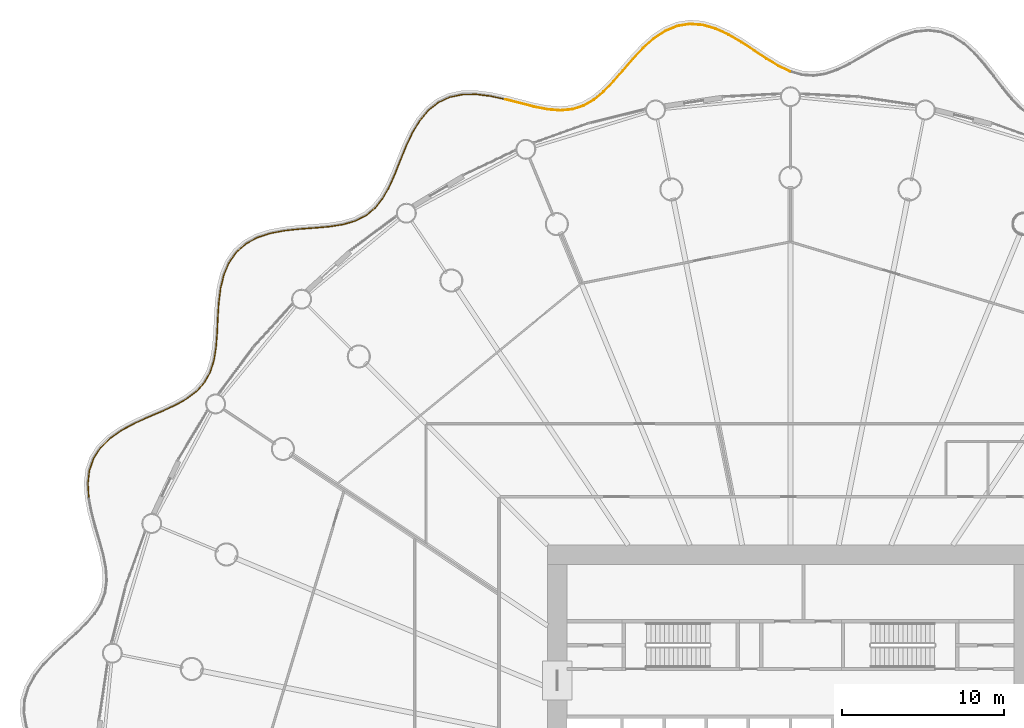
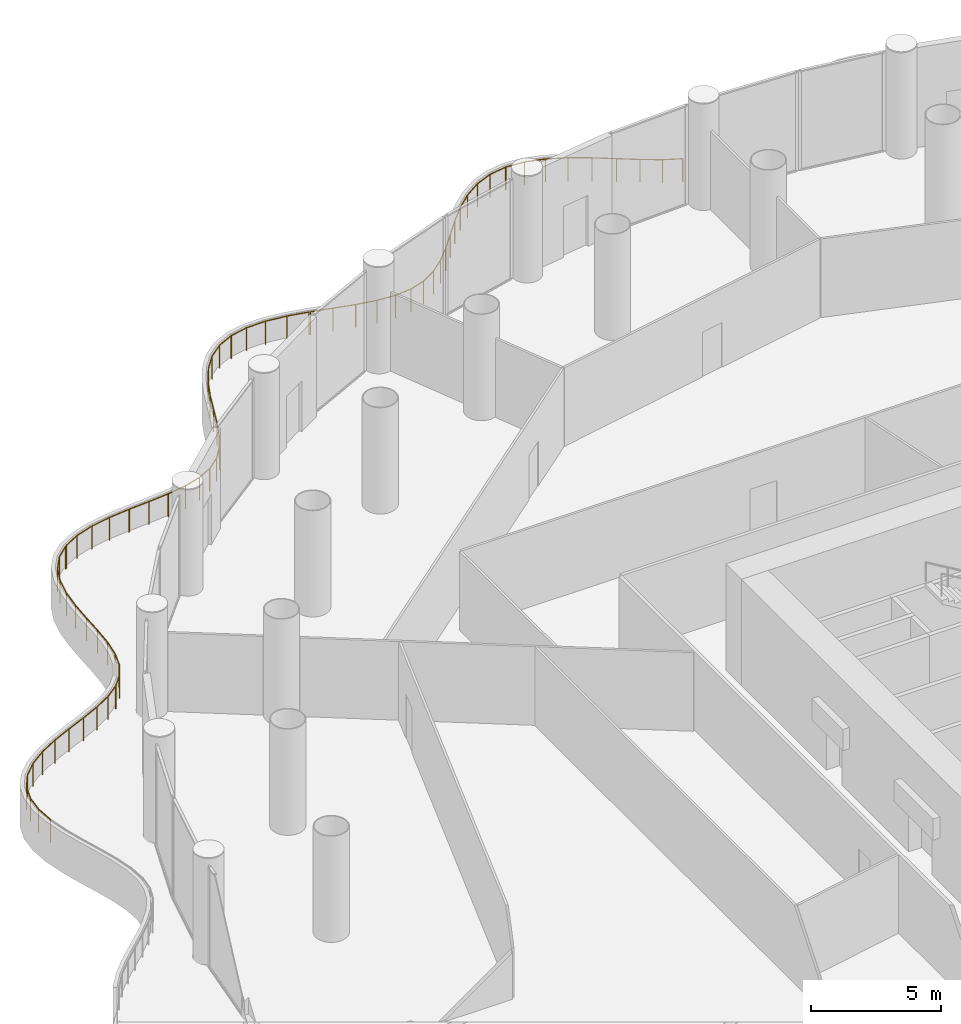
# One storey, part 37 of 38: 3 railings.
"""IFC4 building model written with IfcOpenShell, lengths in metres."""

from ifc_helpers import new_model, si_unit, direction, frame, origin, origin_2d, place, context, subcontext, project, spatial, circle, extrude, material, type_object, element, save


model = new_model("IFC4")

# Units and contexts
model_context = context("Model", 3, precision=1e-05, world=origin(), true_north=direction((0.0, 1.0)))
body_context = subcontext(model_context, "Body", "Model", "MODEL_VIEW")
ifc_project = project(units=[si_unit("LENGTHUNIT", "METRE"), si_unit("AREAUNIT", "SQUARE_METRE"), si_unit("VOLUMEUNIT", "CUBIC_METRE"), si_unit("PLANEANGLEUNIT", "RADIAN"), si_unit("MASSUNIT", "GRAM", prefix="KILO")], contexts=[model_context])

# Site, building, storey
site_placement = place(None, origin())
site = spatial("IfcSite", under=ifc_project, at=site_placement, CompositionType="ELEMENT")
building_placement = place(site_placement, origin())
building = spatial("IfcBuilding", under=site, at=building_placement, Name="Corvane Civic Tower", CompositionType="ELEMENT")
storey_placement = place(building_placement, frame((0.0, 0.0, 32.0)))
storey = spatial("IfcBuildingStorey", under=building, at=storey_placement, Name="L06", CompositionType="ELEMENT", Elevation=32.0)

# Railings
ifc_material = material(Name="Steel ASTM A572 Gr 50", Category="steel")
railing_type = type_object("IfcRailingType", Name="PODIUM-RL-GUARD-1100", PredefinedType="GUARDRAIL", material=ifc_material)
railing_1_placement = place(storey_placement, frame((-0.022705078125, 44.261962890625, 0.0)))
element("IfcRailing", 1, at=railing_1_placement, inside=storey, type_object=railing_type, Name="L06 ribbon guard 1", PredefinedType="GUARDRAIL", context=body_context, shape_type="SweptSolid", body=[
    extrude(circle(Radius=0.02392578125, at=origin_2d()), frame((0.0, 0.0, 1.076171875), z_axis=(-0.904556619747, 0.42635351725, 0.0), x_axis=(-0.42635351725, -0.904556619747, 0.0)), (0.0, 0.0, 1.0), 0.78173828125),
    extrude(circle(Radius=0.02392578125, at=origin_2d()), frame((-0.70703125, 0.333251953125, 1.076171875), z_axis=(-0.857071265822, 0.515197870048, 0.0), x_axis=(-0.515197870048, -0.857071265822, 0.0)), (0.0, 0.0, 1.0), 0.869140625),
    extrude(circle(Radius=0.02392578125, at=origin_2d()), frame((-1.451904296875, 0.781005859375, 1.076171875), z_axis=(-0.833278542405, 0.552853389939, 0.0), x_axis=(-0.552853389939, -0.833278542405, 0.0)), (0.0, 0.0, 1.0), 0.915771484375),
    extrude(circle(Radius=0.02392578125, at=origin_2d()), frame((-2.215087890625, 1.287353515625, 1.076171875), z_axis=(-0.835928065032, 0.548839020198, 0.0), x_axis=(-0.548839020198, -0.835928065032, 0.0)), (0.0, 0.0, 1.0), 0.9345703125),
    extrude(circle(Radius=0.02392578125, at=origin_2d()), frame((-2.996337890625, 1.80029296875, 1.076171875), z_axis=(-0.863000398501, 0.505203238497, 0.0), x_axis=(-0.505203238497, -0.863000398501, 0.0)), (0.0, 0.0, 1.0), 0.922607421875),
    extrude(circle(Radius=0.02392578125, at=origin_2d()), frame((-3.79248046875, 2.266357421875, 1.076171875), z_axis=(-0.909047390124, 0.416692743529, 0.0), x_axis=(-0.416692743529, -0.909047390124, 0.0)), (0.0, 0.0, 1.0), 0.884033203125),
    extrude(circle(Radius=0.02392578125, at=origin_2d()), frame((-4.59619140625, 2.634765625, 1.076171875), z_axis=(-0.96138033596, 0.275223272327, 0.0), x_axis=(-0.275223272327, -0.96138033596, 0.0)), (0.0, 0.0, 1.0), 0.834716796875),
    extrude(circle(Radius=0.02392578125, at=origin_2d()), frame((-5.398681640625, 2.864501953125, 1.076171875), z_axis=(-0.997036356128, 0.076931817602, 0.0), x_axis=(-0.076931817602, -0.997036356128, 0.0)), (0.0, 0.0, 1.0), 0.79345703125),
    extrude(circle(Radius=0.02392578125, at=origin_2d()), frame((-6.189697265625, 2.925537109375, 1.076171875), z_axis=(-0.987740079957, -0.156107445198, 0.0), x_axis=(0.156107445198, -0.987740079957, 0.0)), (0.0, 0.0, 1.0), 0.77880859375),
    extrude(circle(Radius=0.02392578125, at=origin_2d()), frame((-6.958984375, 2.803955078125, 1.076171875), z_axis=(-0.925945868411, -0.377656257426, 0.0), x_axis=(0.377656257426, -0.925945868411, 0.0)), (0.0, 0.0, 1.0), 0.79833984375),
    extrude(circle(Radius=0.02392578125, at=origin_2d()), frame((-7.6982421875, 2.50244140625, 1.076171875), z_axis=(-0.835511617619, -0.549472780786, 0.0), x_axis=(0.549472780786, -0.835511617619, 0.0)), (0.0, 0.0, 1.0), 0.842529296875),
    extrude(circle(Radius=0.02392578125, at=origin_2d()), frame((-8.402099609375, 2.03955078125, 1.076171875), z_axis=(-0.748797877953, -0.662798414281, 0.0), x_axis=(0.662798414281, -0.748797877953, 0.0)), (0.0, 0.0, 1.0), 0.891357421875),
    extrude(circle(Radius=0.02392578125, at=origin_2d()), frame((-9.069580078125, 1.44873046875, 1.076171875), z_axis=(-0.684896018256, -0.72864081973, 0.0), x_axis=(0.72864081973, -0.684896018256, 0.0)), (0.0, 0.0, 1.0), 0.926513671875),
    extrude(circle(Radius=0.02392578125, at=origin_2d()), frame((-9.7041015625, 0.773681640625, 1.076171875), z_axis=(-0.652039268828, -0.758185196312, 0.0), x_axis=(0.758185196312, -0.652039268828, 0.0)), (0.0, 0.0, 1.0), 0.933837890625),
    extrude(circle(Radius=0.02392578125, at=origin_2d()), frame((-10.31298828125, 0.065673828125, 1.076171875), z_axis=(-0.654297095356, -0.756237602218, 0.0), x_axis=(0.756237602218, -0.654297095356, 0.0)), (0.0, 0.0, 1.0), 0.91015625),
    extrude(circle(Radius=0.02392578125, at=origin_2d()), frame((-10.908447265625, -0.62255859375, 1.076171875), z_axis=(-0.693057647536, -0.720882165955, 0.0), x_axis=(0.720882165955, -0.693057647536, 0.0)), (0.0, 0.0, 1.0), 0.85986328125),
    extrude(circle(Radius=0.02392578125, at=origin_2d()), frame((-11.50439453125, -1.242431640625, 1.076171875), z_axis=(-0.768246397082, -0.640154257481, 0.0), x_axis=(0.640154257481, -0.768246397082, 0.0)), (0.0, 0.0, 1.0), 0.796630859375),
    extrude(circle(Radius=0.02392578125, at=origin_2d()), frame((-12.116455078125, -1.75244140625, 1.076171875), z_axis=(-0.865928333736, -0.500168092579, 0.0), x_axis=(0.500168092579, -0.865928333736, 0.0)), (0.0, 0.0, 1.0), 0.742919921875),
    extrude(circle(Radius=0.02392578125, at=origin_2d()), frame((-12.759765625, -2.1240234375, 1.076171875), z_axis=(-0.952671741947, -0.304000908049, 0.0), x_axis=(0.304000908049, -0.952671741947, 0.0)), (0.0, 0.0, 1.0), 0.720458984375),
    extrude(circle(Radius=0.02392578125, at=origin_2d()), frame((-13.446044921875, -2.343017578125, 1.076171875), z_axis=(-0.995671475827, -0.09294252108, 0.0), x_axis=(0.09294252108, -0.995671475827, 0.0)), (0.0, 0.0, 1.0), 0.74072265625),
    extrude(circle(Radius=0.02392578125, at=origin_2d()), frame((-14.18359375, -2.411865234375, 1.076171875), z_axis=(-0.996719662281, 0.080931544051, 0.0), x_axis=(-0.080931544051, -0.996719662281, 0.0)), (0.0, 0.0, 1.0), 0.79345703125),
    extrude(circle(Radius=0.02392578125, at=origin_2d()), frame((-14.974365234375, -2.34765625, 1.076171875), z_axis=(-0.981157277714, 0.193210756401, 0.0), x_axis=(-0.193210756401, -0.981157277714, 0.0)), (0.0, 0.0, 1.0), 0.856689453125),
    extrude(circle(Radius=0.02392578125, at=origin_2d()), frame((-15.81494140625, -2.18212890625, 1.076171875), z_axis=(-0.968928678402, 0.247340284165, 0.0), x_axis=(-0.247340284165, -0.968928678402, 0.0)), (0.0, 0.0, 1.0), 0.908203125),
    extrude(circle(Radius=0.02392578125, at=origin_2d()), frame((-16.69482421875, -1.95751953125, 1.076171875), z_axis=(-0.967625834901, 0.252389071937, 0.0), x_axis=(-0.252389071937, -0.967625834901, 0.0)), (0.0, 0.0, 1.0), 0.908203125),
    extrude(circle(Radius=0.02099609375, at=origin_2d()), origin(), (0.0, 0.0, 1.0), 1.052001953125),
    extrude(circle(Radius=0.02099609375, at=origin_2d()), frame((-0.70703125, 0.333251953125, 0.0)), (0.0, 0.0, 1.0), 1.052001953125),
    extrude(circle(Radius=0.02099609375, at=origin_2d()), frame((-1.451904296875, 0.781005859375, 0.0)), (0.0, 0.0, 1.0), 1.052001953125),
    extrude(circle(Radius=0.02099609375, at=origin_2d()), frame((-2.215087890625, 1.287353515625, 0.0)), (0.0, 0.0, 1.0), 1.052001953125),
    extrude(circle(Radius=0.02099609375, at=origin_2d()), frame((-2.996337890625, 1.80029296875, 0.0)), (0.0, 0.0, 1.0), 1.052001953125),
    extrude(circle(Radius=0.02099609375, at=origin_2d()), frame((-3.79248046875, 2.266357421875, 0.0)), (0.0, 0.0, 1.0), 1.052001953125),
    extrude(circle(Radius=0.02099609375, at=origin_2d()), frame((-4.59619140625, 2.634765625, 0.0)), (0.0, 0.0, 1.0), 1.052001953125),
    extrude(circle(Radius=0.02099609375, at=origin_2d()), frame((-5.398681640625, 2.864501953125, 0.0)), (0.0, 0.0, 1.0), 1.052001953125),
    extrude(circle(Radius=0.02099609375, at=origin_2d()), frame((-6.189697265625, 2.925537109375, 0.0)), (0.0, 0.0, 1.0), 1.052001953125),
    extrude(circle(Radius=0.02099609375, at=origin_2d()), frame((-6.958984375, 2.803955078125, 0.0)), (0.0, 0.0, 1.0), 1.052001953125),
    extrude(circle(Radius=0.02099609375, at=origin_2d()), frame((-7.6982421875, 2.50244140625, 0.0)), (0.0, 0.0, 1.0), 1.052001953125),
    extrude(circle(Radius=0.02099609375, at=origin_2d()), frame((-8.402099609375, 2.03955078125, 0.0)), (0.0, 0.0, 1.0), 1.052001953125),
    extrude(circle(Radius=0.02099609375, at=origin_2d()), frame((-9.069580078125, 1.44873046875, 0.0)), (0.0, 0.0, 1.0), 1.052001953125),
    extrude(circle(Radius=0.02099609375, at=origin_2d()), frame((-9.7041015625, 0.773681640625, 0.0)), (0.0, 0.0, 1.0), 1.052001953125),
    extrude(circle(Radius=0.02099609375, at=origin_2d()), frame((-10.31298828125, 0.065673828125, 0.0)), (0.0, 0.0, 1.0), 1.052001953125),
    extrude(circle(Radius=0.02099609375, at=origin_2d()), frame((-10.908447265625, -0.62255859375, 0.0)), (0.0, 0.0, 1.0), 1.052001953125),
    extrude(circle(Radius=0.02099609375, at=origin_2d()), frame((-11.50439453125, -1.242431640625, 0.0)), (0.0, 0.0, 1.0), 1.052001953125),
    extrude(circle(Radius=0.02099609375, at=origin_2d()), frame((-12.116455078125, -1.75244140625, 0.0)), (0.0, 0.0, 1.0), 1.052001953125),
    extrude(circle(Radius=0.02099609375, at=origin_2d()), frame((-12.759765625, -2.1240234375, 0.0)), (0.0, 0.0, 1.0), 1.052001953125),
    extrude(circle(Radius=0.02099609375, at=origin_2d()), frame((-13.446044921875, -2.343017578125, 0.0)), (0.0, 0.0, 1.0), 1.052001953125),
    extrude(circle(Radius=0.02099609375, at=origin_2d()), frame((-14.18359375, -2.411865234375, 0.0)), (0.0, 0.0, 1.0), 1.052001953125),
    extrude(circle(Radius=0.02099609375, at=origin_2d()), frame((-14.974365234375, -2.34765625, 0.0)), (0.0, 0.0, 1.0), 1.052001953125),
    extrude(circle(Radius=0.02099609375, at=origin_2d()), frame((-15.81494140625, -2.18212890625, 0.0)), (0.0, 0.0, 1.0), 1.052001953125),
    extrude(circle(Radius=0.02099609375, at=origin_2d()), frame((-16.69482421875, -1.95751953125, 0.0)), (0.0, 0.0, 1.0), 1.052001953125),
    extrude(circle(Radius=0.02099609375, at=origin_2d()), frame((-17.57373046875, -1.728271484375, 0.0)), (0.0, 0.0, 1.0), 1.052001953125),
])
railing_2_placement = place(storey_placement, frame((-17.64501953125, 42.54541015625, 0.0)))
element("IfcRailing", 2, at=railing_2_placement, inside=storey, type_object=railing_type, Name="L06 ribbon guard 2", PredefinedType="GUARDRAIL", context=body_context, shape_type="SweptSolid", body=[
    extrude(circle(Radius=0.02392578125, at=origin_2d()), frame((0.0, 0.0, 1.076171875), z_axis=(-0.977300736575, 0.211856721135, 0.0), x_axis=(-0.211856721135, -0.977300736575, 0.0)), (0.0, 0.0, 1.0), 0.90234375),
    extrude(circle(Radius=0.02392578125, at=origin_2d()), frame((-0.8818359375, 0.191162109375, 1.076171875), z_axis=(-0.992282078148, 0.124001118491, 0.0), x_axis=(-0.124001118491, -0.992282078148, 0.0)), (0.0, 0.0, 1.0), 0.893798828125),
    extrude(circle(Radius=0.02392578125, at=origin_2d()), frame((-1.768798828125, 0.302001953125, 1.076171875), z_axis=(-0.999873829142, -0.015884766205, 0.0), x_axis=(0.015884766205, -0.999873829142, 0.0)), (0.0, 0.0, 1.0), 0.84521484375),
    extrude(circle(Radius=0.02392578125, at=origin_2d()), frame((-2.614013671875, 0.28857421875, 1.076171875), z_axis=(-0.978559496335, -0.20596434675, 0.0), x_axis=(0.20596434675, -0.978559496335, 0.0)), (0.0, 0.0, 1.0), 0.800048828125),
    extrude(circle(Radius=0.02392578125, at=origin_2d()), frame((-3.39697265625, 0.123779296875, 1.076171875), z_axis=(-0.905958848672, -0.42336575737, 0.0), x_axis=(0.42336575737, -0.905958848672, 0.0)), (0.0, 0.0, 1.0), 0.779052734375),
    extrude(circle(Radius=0.02392578125, at=origin_2d()), frame((-4.102783203125, -0.2060546875, 1.076171875), z_axis=(-0.782850211169, -0.622210211161, 0.0), x_axis=(0.622210211161, -0.782850211169, 0.0)), (0.0, 0.0, 1.0), 0.791748046875),
    extrude(circle(Radius=0.02392578125, at=origin_2d()), frame((-4.72265625, -0.69873046875, 1.076171875), z_axis=(-0.64055952996, -0.767908515761, 0.0), x_axis=(0.767908515761, -0.64055952996, 0.0)), (0.0, 0.0, 1.0), 0.83203125),
    extrude(circle(Radius=0.02392578125, at=origin_2d()), frame((-5.255615234375, -1.337646484375, 1.076171875), z_axis=(-0.515309933617, -0.857003892824, 0.0), x_axis=(0.857003892824, -0.515309933617, 0.0)), (0.0, 0.0, 1.0), 0.881591796875),
    extrude(circle(Radius=0.02392578125, at=origin_2d()), frame((-5.7099609375, -2.09326171875, 1.076171875), z_axis=(-0.424916002999, -0.905232782435, 0.0), x_axis=(0.905232782435, -0.424916002999, 0.0)), (0.0, 0.0, 1.0), 0.921142578125),
    extrude(circle(Radius=0.02392578125, at=origin_2d()), frame((-6.101318359375, -2.927001953125, 1.076171875), z_axis=(-0.375844544912, -0.926682727831, 0.0), x_axis=(0.926682727831, -0.375844544912, 0.0)), (0.0, 0.0, 1.0), 0.934814453125),
    extrude(circle(Radius=0.02392578125, at=origin_2d()), frame((-6.45263671875, -3.793212890625, 1.076171875), z_axis=(-0.36872877104, -0.929537031757, 0.0), x_axis=(0.929537031757, -0.36872877104, 0.0)), (0.0, 0.0, 1.0), 0.917724609375),
    extrude(circle(Radius=0.02392578125, at=origin_2d()), frame((-6.791015625, -4.646240234375, 1.076171875), z_axis=(-0.407359011643, -0.913268107202, 0.0), x_axis=(0.913268107202, -0.407359011643, 0.0)), (0.0, 0.0, 1.0), 0.8720703125),
    extrude(circle(Radius=0.02392578125, at=origin_2d()), frame((-7.146240234375, -5.442626953125, 1.076171875), z_axis=(-0.494547800989, -0.869150431477, 0.0), x_axis=(0.869150431477, -0.494547800989, 0.0)), (0.0, 0.0, 1.0), 0.81005859375),
    extrude(circle(Radius=0.02392578125, at=origin_2d()), frame((-7.546875, -6.146728515625, 1.076171875), z_axis=(-0.625288442745, -0.780393723302, 0.0), x_axis=(0.780393723302, -0.625288442745, 0.0)), (0.0, 0.0, 1.0), 0.75244140625),
    extrude(circle(Radius=0.02392578125, at=origin_2d()), frame((-8.017333984375, -6.73388671875, 1.076171875), z_axis=(-0.773218013178, -0.634140287394, 0.0), x_axis=(0.634140287394, -0.773218013178, 0.0)), (0.0, 0.0, 1.0), 0.721435546875),
    extrude(circle(Radius=0.02392578125, at=origin_2d()), frame((-8.5751953125, -7.19140625, 1.076171875), z_axis=(-0.893091245841, -0.449875567909, 0.0), x_axis=(0.449875567909, -0.893091245841, 0.0)), (0.0, 0.0, 1.0), 0.733154296875),
    extrude(circle(Radius=0.02392578125, at=origin_2d()), frame((-9.22998046875, -7.521240234375, 1.076171875), z_axis=(-0.960669700127, -0.277693585193, 0.0), x_axis=(0.277693585193, -0.960669700127, 0.0)), (0.0, 0.0, 1.0), 0.78076171875),
    extrude(circle(Radius=0.02392578125, at=origin_2d()), frame((-9.97998046875, -7.738037109375, 1.076171875), z_axis=(-0.987942969504, -0.154818245075, 0.0), x_axis=(0.154818245075, -0.987942969504, 0.0)), (0.0, 0.0, 1.0), 0.84375),
    extrude(circle(Radius=0.02392578125, at=origin_2d()), frame((-10.8134765625, -7.86865234375, 1.076171875), z_axis=(-0.996145220254, -0.087719440061, 0.0), x_axis=(0.087719440061, -0.996145220254, 0.0)), (0.0, 0.0, 1.0), 0.89892578125),
    extrude(circle(Radius=0.02392578125, at=origin_2d()), frame((-11.708984375, -7.947509765625, 1.076171875), z_axis=(-0.997356492386, -0.072663794948, 0.0), x_axis=(0.072663794948, -0.997356492386, 0.0)), (0.0, 0.0, 1.0), 0.9306640625),
    extrude(circle(Radius=0.02392578125, at=origin_2d()), frame((-12.63720703125, -8.01513671875, 1.076171875), z_axis=(-0.994539880598, -0.104357203395, 0.0), x_axis=(0.104357203395, -0.994539880598, 0.0)), (0.0, 0.0, 1.0), 0.93115234375),
    extrude(circle(Radius=0.02392578125, at=origin_2d()), frame((-13.563232421875, -8.1123046875, 1.076171875), z_axis=(-0.983249711201, -0.182263560327, 0.0), x_axis=(0.182263560327, -0.983249711201, 0.0)), (0.0, 0.0, 1.0), 0.90283203125),
    extrude(circle(Radius=0.02392578125, at=origin_2d()), frame((-14.450927734375, -8.27685546875, 1.076171875), z_axis=(-0.951552568716, -0.307486111833, 0.0), x_axis=(0.307486111833, -0.951552568716, 0.0)), (0.0, 0.0, 1.0), 0.85595703125),
    extrude(circle(Radius=0.02392578125, at=origin_2d()), frame((-15.265380859375, -8.5400390625, 1.076171875), z_axis=(-0.880361004263, -0.474304229554, 0.0), x_axis=(0.474304229554, -0.880361004263, 0.0)), (0.0, 0.0, 1.0), 0.783447265625),
    extrude(circle(Radius=0.02099609375, at=origin_2d()), origin(), (0.0, 0.0, 1.0), 1.052001953125),
    extrude(circle(Radius=0.02099609375, at=origin_2d()), frame((-0.8818359375, 0.191162109375, 0.0)), (0.0, 0.0, 1.0), 1.052001953125),
    extrude(circle(Radius=0.02099609375, at=origin_2d()), frame((-1.768798828125, 0.302001953125, 0.0)), (0.0, 0.0, 1.0), 1.052001953125),
    extrude(circle(Radius=0.02099609375, at=origin_2d()), frame((-2.614013671875, 0.28857421875, 0.0)), (0.0, 0.0, 1.0), 1.052001953125),
    extrude(circle(Radius=0.02099609375, at=origin_2d()), frame((-3.39697265625, 0.123779296875, 0.0)), (0.0, 0.0, 1.0), 1.052001953125),
    extrude(circle(Radius=0.02099609375, at=origin_2d()), frame((-4.102783203125, -0.2060546875, 0.0)), (0.0, 0.0, 1.0), 1.052001953125),
    extrude(circle(Radius=0.02099609375, at=origin_2d()), frame((-4.72265625, -0.69873046875, 0.0)), (0.0, 0.0, 1.0), 1.052001953125),
    extrude(circle(Radius=0.02099609375, at=origin_2d()), frame((-5.255615234375, -1.337646484375, 0.0)), (0.0, 0.0, 1.0), 1.052001953125),
    extrude(circle(Radius=0.02099609375, at=origin_2d()), frame((-5.7099609375, -2.09326171875, 0.0)), (0.0, 0.0, 1.0), 1.052001953125),
    extrude(circle(Radius=0.02099609375, at=origin_2d()), frame((-6.101318359375, -2.927001953125, 0.0)), (0.0, 0.0, 1.0), 1.052001953125),
    extrude(circle(Radius=0.02099609375, at=origin_2d()), frame((-6.45263671875, -3.793212890625, 0.0)), (0.0, 0.0, 1.0), 1.052001953125),
    extrude(circle(Radius=0.02099609375, at=origin_2d()), frame((-6.791015625, -4.646240234375, 0.0)), (0.0, 0.0, 1.0), 1.052001953125),
    extrude(circle(Radius=0.02099609375, at=origin_2d()), frame((-7.146240234375, -5.442626953125, 0.0)), (0.0, 0.0, 1.0), 1.052001953125),
    extrude(circle(Radius=0.02099609375, at=origin_2d()), frame((-7.546875, -6.146728515625, 0.0)), (0.0, 0.0, 1.0), 1.052001953125),
    extrude(circle(Radius=0.02099609375, at=origin_2d()), frame((-8.017333984375, -6.73388671875, 0.0)), (0.0, 0.0, 1.0), 1.052001953125),
    extrude(circle(Radius=0.02099609375, at=origin_2d()), frame((-8.5751953125, -7.19140625, 0.0)), (0.0, 0.0, 1.0), 1.052001953125),
    extrude(circle(Radius=0.02099609375, at=origin_2d()), frame((-9.22998046875, -7.521240234375, 0.0)), (0.0, 0.0, 1.0), 1.052001953125),
    extrude(circle(Radius=0.02099609375, at=origin_2d()), frame((-9.97998046875, -7.738037109375, 0.0)), (0.0, 0.0, 1.0), 1.052001953125),
    extrude(circle(Radius=0.02099609375, at=origin_2d()), frame((-10.8134765625, -7.86865234375, 0.0)), (0.0, 0.0, 1.0), 1.052001953125),
    extrude(circle(Radius=0.02099609375, at=origin_2d()), frame((-11.708984375, -7.947509765625, 0.0)), (0.0, 0.0, 1.0), 1.052001953125),
    extrude(circle(Radius=0.02099609375, at=origin_2d()), frame((-12.63720703125, -8.01513671875, 0.0)), (0.0, 0.0, 1.0), 1.052001953125),
    extrude(circle(Radius=0.02099609375, at=origin_2d()), frame((-13.563232421875, -8.1123046875, 0.0)), (0.0, 0.0, 1.0), 1.052001953125),
    extrude(circle(Radius=0.02099609375, at=origin_2d()), frame((-14.450927734375, -8.27685546875, 0.0)), (0.0, 0.0, 1.0), 1.052001953125),
    extrude(circle(Radius=0.02099609375, at=origin_2d()), frame((-15.265380859375, -8.5400390625, 0.0)), (0.0, 0.0, 1.0), 1.052001953125),
    extrude(circle(Radius=0.02099609375, at=origin_2d()), frame((-15.955078125, -8.91162109375, 0.0)), (0.0, 0.0, 1.0), 1.052001953125),
])
railing_3_placement = place(storey_placement, frame((-33.640869140625, 33.605712890625, 0.0)))
element("IfcRailing", 3, at=railing_3_placement, inside=storey, type_object=railing_type, Name="L06 ribbon guard 3", PredefinedType="GUARDRAIL", context=body_context, shape_type="SweptSolid", body=[
    extrude(circle(Radius=0.02392578125, at=origin_2d()), frame((0.0, 0.0, 1.076171875), z_axis=(-0.753136596258, -0.657864170917, 0.0), x_axis=(0.657864170917, -0.753136596258, 0.0)), (0.0, 0.0, 1.0), 0.755859375),
    extrude(circle(Radius=0.02392578125, at=origin_2d()), frame((-0.5693359375, -0.497314453125, 1.076171875), z_axis=(-0.578060431514, -0.81599395679, 0.0), x_axis=(0.81599395679, -0.578060431514, 0.0)), (0.0, 0.0, 1.0), 0.785888671875),
    extrude(circle(Radius=0.02392578125, at=origin_2d()), frame((-1.023681640625, -1.138671875, 1.076171875), z_axis=(-0.392843922588, -0.919605161189, 0.0), x_axis=(0.919605161189, -0.392843922588, 0.0)), (0.0, 0.0, 1.0), 0.822265625),
    extrude(circle(Radius=0.02392578125, at=origin_2d()), frame((-1.3466796875, -1.894775390625, 1.076171875), z_axis=(-0.236401609899, -0.971655432155, 0.0), x_axis=(0.971655432155, -0.236401609899, 0.0)), (0.0, 0.0, 1.0), 0.87158203125),
    extrude(circle(Radius=0.02392578125, at=origin_2d()), frame((-1.552734375, -2.74169921875, 1.076171875), z_axis=(-0.125480400007, -0.99209609878, 0.0), x_axis=(0.99209609878, -0.125480400007, 0.0)), (0.0, 0.0, 1.0), 0.91455078125),
    extrude(circle(Radius=0.02392578125, at=origin_2d()), frame((-1.66748046875, -3.64892578125, 1.076171875), z_axis=(-0.061662540567, -0.998097054945, 0.0), x_axis=(0.998097054945, -0.061662540567, 0.0)), (0.0, 0.0, 1.0), 0.934326171875),
    extrude(circle(Radius=0.02392578125, at=origin_2d()), frame((-1.72509765625, -4.58154296875, 1.076171875), z_axis=(-0.044928131662, -0.998990221667, 0.0), x_axis=(0.998990221667, -0.044928131662, 0.0)), (0.0, 0.0, 1.0), 0.923828125),
    extrude(circle(Radius=0.02392578125, at=origin_2d()), frame((-1.7666015625, -5.50439453125, 1.076171875), z_axis=(-0.07542872719, -0.997151195714, 0.0), x_axis=(0.997151195714, -0.07542872719, 0.0)), (0.0, 0.0, 1.0), 0.883544921875),
    extrude(circle(Radius=0.02392578125, at=origin_2d()), frame((-1.833251953125, -6.385498046875, 1.076171875), z_axis=(-0.160359970746, -0.987058599974, 0.0), x_axis=(0.987058599974, -0.160359970746, 0.0)), (0.0, 0.0, 1.0), 0.82373046875),
    extrude(circle(Radius=0.02392578125, at=origin_2d()), frame((-1.96533203125, -7.198486328125, 1.076171875), z_axis=(-0.30178990041, -0.953374457394, 0.0), x_axis=(0.953374457394, -0.30178990041, 0.0)), (0.0, 0.0, 1.0), 0.762939453125),
    extrude(circle(Radius=0.02392578125, at=origin_2d()), frame((-2.195556640625, -7.92578125, 1.076171875), z_axis=(-0.485328341543, -0.874331974078, 0.0), x_axis=(0.874331974078, -0.485328341543, 0.0)), (0.0, 0.0, 1.0), 0.724853515625),
    extrude(circle(Radius=0.02392578125, at=origin_2d()), frame((-2.54736328125, -8.5595703125, 1.076171875), z_axis=(-0.66584226346, -0.746092541305, 0.0), x_axis=(0.746092541305, -0.66584226346, 0.0)), (0.0, 0.0, 1.0), 0.72705078125),
    extrude(circle(Radius=0.02392578125, at=origin_2d()), frame((-3.031494140625, -9.10205078125, 1.076171875), z_axis=(-0.79812863736, -0.602487077227, 0.0), x_axis=(0.602487077227, -0.79812863736, 0.0)), (0.0, 0.0, 1.0), 0.768798828125),
    extrude(circle(Radius=0.02392578125, at=origin_2d()), frame((-3.64501953125, -9.565185546875, 1.076171875), z_axis=(-0.874115666585, -0.485717820787, 0.0), x_axis=(0.485717820787, -0.874115666585, 0.0)), (0.0, 0.0, 1.0), 0.830322265625),
    extrude(circle(Radius=0.02392578125, at=origin_2d()), frame((-4.370849609375, -9.968505859375, 1.076171875), z_axis=(-0.909688003863, -0.41529234959, 0.0), x_axis=(0.41529234959, -0.909688003863, 0.0)), (0.0, 0.0, 1.0), 0.888916015625),
    extrude(circle(Radius=0.02392578125, at=origin_2d()), frame((-5.179443359375, -10.337646484375, 1.076171875), z_axis=(-0.920015181369, -0.391882719764, 0.0), x_axis=(0.391882719764, -0.920015181369, 0.0)), (0.0, 0.0, 1.0), 0.926513671875),
    extrude(circle(Radius=0.02392578125, at=origin_2d()), frame((-6.03173828125, -10.70068359375, 1.076171875), z_axis=(-0.911161682007, -0.412049013155, 0.0), x_axis=(0.412049013155, -0.911161682007, 0.0)), (0.0, 0.0, 1.0), 0.933837890625),
    extrude(circle(Radius=0.02392578125, at=origin_2d()), frame((-6.882568359375, -11.08544921875, 1.076171875), z_axis=(-0.88067761825, -0.473716088721, 0.0), x_axis=(0.473716088721, -0.88067761825, 0.0)), (0.0, 0.0, 1.0), 0.91064453125),
    extrude(circle(Radius=0.02392578125, at=origin_2d()), frame((-7.6845703125, -11.516845703125, 1.076171875), z_axis=(-0.818635721865, -0.574313115718, 0.0), x_axis=(0.574313115718, -0.818635721865, 0.0)), (0.0, 0.0, 1.0), 0.866455078125),
    extrude(circle(Radius=0.02392578125, at=origin_2d()), frame((-8.393798828125, -12.014404296875, 1.076171875), z_axis=(-0.709343264461, -0.704863201738, 0.0), x_axis=(0.704863201738, -0.709343264461, 0.0)), (0.0, 0.0, 1.0), 0.8173828125),
    extrude(circle(Radius=0.02392578125, at=origin_2d()), frame((-8.9736328125, -12.590576171875, 1.076171875), z_axis=(-0.541119467015, -0.840945730959, 0.0), x_axis=(0.840945730959, -0.541119467015, 0.0)), (0.0, 0.0, 1.0), 0.7841796875),
    extrude(circle(Radius=0.02392578125, at=origin_2d()), frame((-9.39794921875, -13.25, 1.076171875), z_axis=(-0.328375339933, -0.944547318097, 0.0), x_axis=(0.944547318097, -0.328375339933, 0.0)), (0.0, 0.0, 1.0), 0.7822265625),
    extrude(circle(Radius=0.02392578125, at=origin_2d()), frame((-9.65478515625, -13.98876953125, 1.076171875), z_axis=(-0.114156592688, -0.993462768475, 0.0), x_axis=(0.993462768475, -0.114156592688, 0.0)), (0.0, 0.0, 1.0), 0.812744140625),
    extrude(circle(Radius=0.02392578125, at=origin_2d()), frame((-9.74755859375, -14.796142578125, 1.076171875), z_axis=(0.061887576155, -0.998083126757, 0.0), x_axis=(0.998083126757, 0.061887576155, 0.0)), (0.0, 0.0, 1.0), 0.83642578125),
    extrude(circle(Radius=0.02099609375, at=origin_2d()), origin(), (0.0, 0.0, 1.0), 1.052001953125),
    extrude(circle(Radius=0.02099609375, at=origin_2d()), frame((-0.5693359375, -0.497314453125, 0.0)), (0.0, 0.0, 1.0), 1.052001953125),
    extrude(circle(Radius=0.02099609375, at=origin_2d()), frame((-1.023681640625, -1.138671875, 0.0)), (0.0, 0.0, 1.0), 1.052001953125),
    extrude(circle(Radius=0.02099609375, at=origin_2d()), frame((-1.3466796875, -1.894775390625, 0.0)), (0.0, 0.0, 1.0), 1.052001953125),
    extrude(circle(Radius=0.02099609375, at=origin_2d()), frame((-1.552734375, -2.74169921875, 0.0)), (0.0, 0.0, 1.0), 1.052001953125),
    extrude(circle(Radius=0.02099609375, at=origin_2d()), frame((-1.66748046875, -3.64892578125, 0.0)), (0.0, 0.0, 1.0), 1.052001953125),
    extrude(circle(Radius=0.02099609375, at=origin_2d()), frame((-1.72509765625, -4.58154296875, 0.0)), (0.0, 0.0, 1.0), 1.052001953125),
    extrude(circle(Radius=0.02099609375, at=origin_2d()), frame((-1.7666015625, -5.50439453125, 0.0)), (0.0, 0.0, 1.0), 1.052001953125),
    extrude(circle(Radius=0.02099609375, at=origin_2d()), frame((-1.833251953125, -6.385498046875, 0.0)), (0.0, 0.0, 1.0), 1.052001953125),
    extrude(circle(Radius=0.02099609375, at=origin_2d()), frame((-1.96533203125, -7.198486328125, 0.0)), (0.0, 0.0, 1.0), 1.052001953125),
    extrude(circle(Radius=0.02099609375, at=origin_2d()), frame((-2.195556640625, -7.92578125, 0.0)), (0.0, 0.0, 1.0), 1.052001953125),
    extrude(circle(Radius=0.02099609375, at=origin_2d()), frame((-2.54736328125, -8.5595703125, 0.0)), (0.0, 0.0, 1.0), 1.052001953125),
    extrude(circle(Radius=0.02099609375, at=origin_2d()), frame((-3.031494140625, -9.10205078125, 0.0)), (0.0, 0.0, 1.0), 1.052001953125),
    extrude(circle(Radius=0.02099609375, at=origin_2d()), frame((-3.64501953125, -9.565185546875, 0.0)), (0.0, 0.0, 1.0), 1.052001953125),
    extrude(circle(Radius=0.02099609375, at=origin_2d()), frame((-4.370849609375, -9.968505859375, 0.0)), (0.0, 0.0, 1.0), 1.052001953125),
    extrude(circle(Radius=0.02099609375, at=origin_2d()), frame((-5.179443359375, -10.337646484375, 0.0)), (0.0, 0.0, 1.0), 1.052001953125),
    extrude(circle(Radius=0.02099609375, at=origin_2d()), frame((-6.03173828125, -10.70068359375, 0.0)), (0.0, 0.0, 1.0), 1.052001953125),
    extrude(circle(Radius=0.02099609375, at=origin_2d()), frame((-6.882568359375, -11.08544921875, 0.0)), (0.0, 0.0, 1.0), 1.052001953125),
    extrude(circle(Radius=0.02099609375, at=origin_2d()), frame((-7.6845703125, -11.516845703125, 0.0)), (0.0, 0.0, 1.0), 1.052001953125),
    extrude(circle(Radius=0.02099609375, at=origin_2d()), frame((-8.393798828125, -12.014404296875, 0.0)), (0.0, 0.0, 1.0), 1.052001953125),
    extrude(circle(Radius=0.02099609375, at=origin_2d()), frame((-8.9736328125, -12.590576171875, 0.0)), (0.0, 0.0, 1.0), 1.052001953125),
    extrude(circle(Radius=0.02099609375, at=origin_2d()), frame((-9.39794921875, -13.25, 0.0)), (0.0, 0.0, 1.0), 1.052001953125),
    extrude(circle(Radius=0.02099609375, at=origin_2d()), frame((-9.65478515625, -13.98876953125, 0.0)), (0.0, 0.0, 1.0), 1.052001953125),
    extrude(circle(Radius=0.02099609375, at=origin_2d()), frame((-9.74755859375, -14.796142578125, 0.0)), (0.0, 0.0, 1.0), 1.052001953125),
    extrude(circle(Radius=0.02099609375, at=origin_2d()), frame((-9.69580078125, -15.630859375, 0.0)), (0.0, 0.0, 1.0), 1.052001953125),
])

save(model, "model.ifc")
